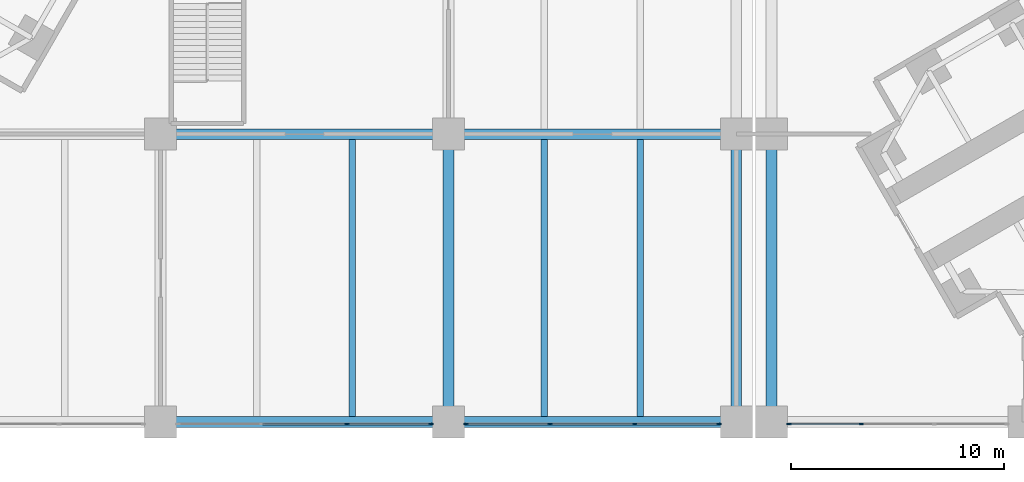
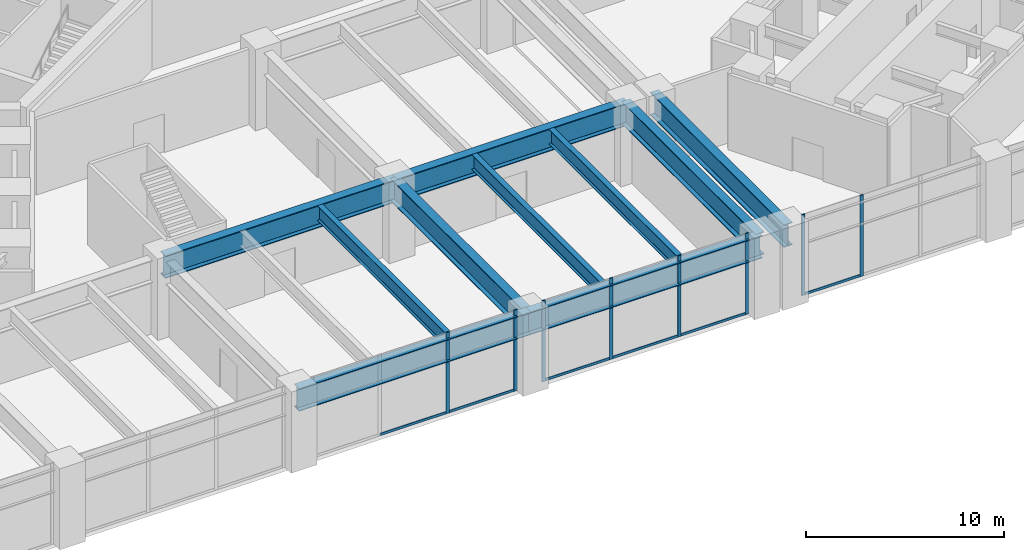
# One storey, part 4 of 32: 14 members, 10 beams, 3 elements without a shape of their own.
"""IFC4 building model written with IfcOpenShell, lengths in metres."""

from ifc_helpers import new_model, si_unit, direction, frame, origin, origin_2d, place, context, subcontext, project, spatial, rectangle, i_section, extrude, material, material_profile, profile_set, type_object, element, aggregate, save


model = new_model("IFC4")

# Units and contexts
model_context = context("Model", 3, precision=1e-05, world=origin(), true_north=direction((0.0, 1.0)))
body_context = subcontext(model_context, "Body", "Model", "MODEL_VIEW")
ifc_project = project(units=[si_unit("LENGTHUNIT", "METRE"), si_unit("AREAUNIT", "SQUARE_METRE"), si_unit("VOLUMEUNIT", "CUBIC_METRE"), si_unit("PLANEANGLEUNIT", "RADIAN"), si_unit("MASSUNIT", "GRAM", prefix="KILO")], contexts=[model_context])

# Site, building, storey
site_placement = place(None, origin())
site = spatial("IfcSite", under=ifc_project, at=site_placement, CompositionType="ELEMENT")
building_placement = place(site_placement, origin())
building = spatial("IfcBuilding", under=site, at=building_placement, Name="Upepo Twin Towers", CompositionType="ELEMENT")
storey_placement = place(building_placement, frame((0.0, 0.0, 10.5)))
storey = spatial("IfcBuildingStorey", under=building, at=storey_placement, Name="L02", CompositionType="ELEMENT", Elevation=10.5)

# Beams
ifc_material_1 = material(Name="Steel S355", Category="steel")
ifc_material_profile_1 = material_profile(ifc_material_1, i_section(OverallWidth=0.5, OverallDepth=1.39990234375, WebThickness=0.02490234375, FlangeThickness=0.050048828125, FilletRadius=0.008056640625, at=origin_2d()), Name="PG 1400x500x25x50")
ifc_profile_set_1 = profile_set([ifc_material_profile_1], Name="Steel S355")
beam_type_1 = type_object("IfcBeamType", Name="Beam PG 1400x500x25x50", PredefinedType="BEAM", material=ifc_profile_set_1)
for number, where, z_axis, x_axis, name in (
    (1, (0.0, -40.5, 3.949951171875), (1.0, 0.0, 0.0), (0.0, 1.0, 0.0), "Podium girder A/3-4"),
    (2, (13.5, -40.5, 3.949951171875), (1.0, 0.0, 0.0), (0.0, 1.0, 0.0), "Podium girder A/4-5"),
    (3, (0.0, -27.0, 3.949951171875), (1.0, 0.0, 0.0), (0.0, 1.0, 0.0), "Podium girder B/3-4"),
    (4, (13.5, -27.0, 3.949951171875), (1.0, 0.0, 0.0), (0.0, 1.0, 0.0), "Podium girder B/4-5"),
    (5, (13.5, -40.5, 3.949951171875), (0.0, 1.0, 0.0), (-1.0, 0.0, 0.0), "Podium girder 4/A-B"),
    (6, (27.0, -40.5, 3.949951171875), (0.0, 1.0, 0.0), (-1.0, 0.0, 0.0), "Podium girder 5/A-B"),
    (7, (28.64990234375, -40.5, 3.949951171875), (0.0, 1.0, 0.0), (-1.0, 0.0, 0.0), "Podium girder 5a/A-B"),
):
    element("IfcBeam", number, at=place(storey_placement, frame(where, z_axis=z_axis, x_axis=x_axis)), inside=storey, type_object=beam_type_1, Name=name, PredefinedType="BEAM", context=body_context, shape_type="SweptSolid", body=[
        extrude(i_section(OverallWidth=0.5, OverallDepth=1.39990234375, WebThickness=0.02490234375, FlangeThickness=0.050048828125, FilletRadius=0.008056640625, at=origin_2d()), origin(), (0.0, 0.0, 1.0), 13.5),
    ])

# Curtain wall, members
ifc_material_2 = material(Name="Aluminium and clear glass", Category="aluminium")
curtain_wall_type = type_object("IfcCurtainWallType", Name="Podium curtain wall PW1", PredefinedType="NOTDEFINED", material=ifc_material_2)
curtain_wall_1_placement = place(storey_placement, origin())
curtain_wall_1 = element("IfcCurtainWall", 8, at=curtain_wall_1_placement, inside=storey, type_object=curtain_wall_type, Name="Podium L02 curtain wall S3", PredefinedType="NOTDEFINED")
ifc_material_3 = material(Name="Aluminium mullion", Category="aluminium")
ifc_material_profile_2 = material_profile(ifc_material_3, rectangle(XDim=0.06494140625, YDim=0.199951171875, at=origin_2d()), Name="MULLION 65x200 PODIUM")
ifc_profile_set_2 = profile_set([ifc_material_profile_2], Name="Aluminium mullion")
member_type_1 = type_object("IfcMemberType", Name="Mullion 65x200 PW1", PredefinedType="MULLION", material=ifc_profile_set_2)
member_1_placement = place(storey_placement, frame((8.73828125, -40.60009765625, 0.0), z_axis=(0.0, 0.0, 1.0), x_axis=(0.0, 1.0, 0.0)))
member_1 = element("IfcMember", 9, at=member_1_placement, type_object=member_type_1, Name="Podium L02 curtain wall S3 mullion 3", PredefinedType="MULLION", context=body_context, shape_type="SweptSolid", body=[
    extrude(rectangle(XDim=0.06494140625, YDim=0.199951171875, at=origin_2d()), origin(), (0.0, 0.0, 1.0), 5.0),
])
member_2_placement = place(storey_placement, frame((12.6826171875, -40.60009765625, 0.0), z_axis=(0.0, 0.0, 1.0), x_axis=(0.0, 1.0, 0.0)))
member_2 = element("IfcMember", 10, at=member_2_placement, type_object=member_type_1, Name="Podium L02 curtain wall S3 mullion 4", PredefinedType="MULLION", context=body_context, shape_type="SweptSolid", body=[
    extrude(rectangle(XDim=0.06494140625, YDim=0.199951171875, at=origin_2d()), origin(), (0.0, 0.0, 1.0), 5.0),
])

curtain_wall_2_placement = place(storey_placement, origin())
curtain_wall_2 = element("IfcCurtainWall", 11, at=curtain_wall_2_placement, inside=storey, type_object=curtain_wall_type, Name="Podium L02 curtain wall S4", PredefinedType="NOTDEFINED")
member_3_placement = place(storey_placement, frame((14.3173828125, -40.60009765625, 0.0), z_axis=(0.0, 0.0, 1.0), x_axis=(0.0, 1.0, 0.0)))
member_3 = element("IfcMember", 12, at=member_3_placement, type_object=member_type_1, Name="Podium L02 curtain wall S4 mullion 1", PredefinedType="MULLION", context=body_context, shape_type="SweptSolid", body=[
    extrude(rectangle(XDim=0.06494140625, YDim=0.199951171875, at=origin_2d()), origin(), (0.0, 0.0, 1.0), 5.0),
])
member_4_placement = place(storey_placement, frame((18.26171875, -40.60009765625, 0.0), z_axis=(0.0, 0.0, 1.0), x_axis=(0.0, 1.0, 0.0)))
member_4 = element("IfcMember", 13, at=member_4_placement, type_object=member_type_1, Name="Podium L02 curtain wall S4 mullion 2", PredefinedType="MULLION", context=body_context, shape_type="SweptSolid", body=[
    extrude(rectangle(XDim=0.06494140625, YDim=0.199951171875, at=origin_2d()), origin(), (0.0, 0.0, 1.0), 5.0),
])
member_5_placement = place(storey_placement, frame((22.23828125, -40.60009765625, 0.0), z_axis=(0.0, 0.0, 1.0), x_axis=(0.0, 1.0, 0.0)))
member_5 = element("IfcMember", 14, at=member_5_placement, type_object=member_type_1, Name="Podium L02 curtain wall S4 mullion 3", PredefinedType="MULLION", context=body_context, shape_type="SweptSolid", body=[
    extrude(rectangle(XDim=0.06494140625, YDim=0.199951171875, at=origin_2d()), origin(), (0.0, 0.0, 1.0), 5.0),
])
member_6_placement = place(storey_placement, frame((26.1826171875, -40.60009765625, 0.0), z_axis=(0.0, 0.0, 1.0), x_axis=(0.0, 1.0, 0.0)))
member_6 = element("IfcMember", 15, at=member_6_placement, type_object=member_type_1, Name="Podium L02 curtain wall S4 mullion 4", PredefinedType="MULLION", context=body_context, shape_type="SweptSolid", body=[
    extrude(rectangle(XDim=0.06494140625, YDim=0.199951171875, at=origin_2d()), origin(), (0.0, 0.0, 1.0), 5.0),
])

curtain_wall_3_placement = place(storey_placement, origin())
curtain_wall_3 = element("IfcCurtainWall", 16, at=curtain_wall_3_placement, inside=storey, type_object=curtain_wall_type, Name="Podium L02 curtain wall S5", PredefinedType="NOTDEFINED")
member_7_placement = place(storey_placement, frame((29.467529296875, -40.60009765625, 0.0), z_axis=(0.0, 0.0, 1.0), x_axis=(0.0, 1.0, 0.0)))
member_7 = element("IfcMember", 17, at=member_7_placement, type_object=member_type_1, Name="Podium L02 curtain wall S5 mullion 1", PredefinedType="MULLION", context=body_context, shape_type="SweptSolid", body=[
    extrude(rectangle(XDim=0.06494140625, YDim=0.199951171875, at=origin_2d()), origin(), (0.0, 0.0, 1.0), 5.0),
])
member_8_placement = place(storey_placement, frame((32.861572265625, -40.60009765625, 0.0), z_axis=(0.0, 0.0, 1.0), x_axis=(0.0, 1.0, 0.0)))
member_8 = element("IfcMember", 18, at=member_8_placement, type_object=member_type_1, Name="Podium L02 curtain wall S5 mullion 2", PredefinedType="MULLION", context=body_context, shape_type="SweptSolid", body=[
    extrude(rectangle(XDim=0.06494140625, YDim=0.199951171875, at=origin_2d()), origin(), (0.0, 0.0, 1.0), 5.0),
])

# Beams
ifc_material_4 = material(Name="Steel S355", Category="steel")
ifc_material_profile_3 = material_profile(ifc_material_4, i_section(OverallWidth=0.305419921875, OverallDepth=0.91845703125, WebThickness=0.017333984375, FlangeThickness=0.02783203125, FilletRadius=0.01904296875, at=origin_2d()), Name="UB 914x305x253")
ifc_profile_set_3 = profile_set([ifc_material_profile_3], Name="Steel S355")
beam_type_2 = type_object("IfcBeamType", Name="Secondary beam UB 914x305x253", PredefinedType="JOIST", material=ifc_profile_set_3)
for number, where, z_axis, x_axis, name in (
    (19, (9.0, -40.25, 4.19091796875), (0.0, 1.0, 0.0), (-1.0, 0.0, 0.0), "Podium secondary beam A3.2"),
    (20, (18.0, -40.25, 4.19091796875), (0.0, 1.0, 0.0), (-1.0, 0.0, 0.0), "Podium secondary beam A4.1"),
    (21, (22.5, -40.25, 4.19091796875), (0.0, 1.0, 0.0), (-1.0, 0.0, 0.0), "Podium secondary beam A4.2"),
):
    element("IfcBeam", number, at=place(storey_placement, frame(where, z_axis=z_axis, x_axis=x_axis)), inside=storey, type_object=beam_type_2, Name=name, PredefinedType="JOIST", context=body_context, shape_type="SweptSolid", body=[
        extrude(i_section(OverallWidth=0.305419921875, OverallDepth=0.91845703125, WebThickness=0.017333984375, FlangeThickness=0.02783203125, FilletRadius=0.01904296875, at=origin_2d()), origin(), (0.0, 0.0, 1.0), 13.0),
    ])

# Member
ifc_material_5 = material(Name="Aluminium transom", Category="aluminium")
ifc_material_profile_4 = material_profile(ifc_material_5, rectangle(XDim=0.06494140625, YDim=0.14990234375, at=origin_2d()), Name="TRANSOM 65x150 PODIUM")
ifc_profile_set_4 = profile_set([ifc_material_profile_4], Name="Aluminium transom")
member_type_2 = type_object("IfcMemberType", Name="Transom 65x150 PW1", PredefinedType="USERDEFINED", material=ifc_profile_set_4)
member_9_placement = place(storey_placement, frame((4.794189453125, -40.60009765625, 0.074951171875), z_axis=(1.0, 0.0, 0.0), x_axis=(0.0, 1.0, 0.0)))
member_9 = element("IfcMember", 22, at=member_9_placement, type_object=member_type_2, Name="Podium L02 curtain wall S3 transom 2", ObjectType="TRANSOM", PredefinedType="USERDEFINED", context=body_context, shape_type="SweptSolid", body=[
    extrude(rectangle(XDim=0.06494140625, YDim=0.14990234375, at=origin_2d()), origin(), (0.0, 0.0, 1.0), 3.91162109375),
])

member_10_placement = place(storey_placement, frame((8.770751953125, -40.60009765625, 0.074951171875), z_axis=(1.0, 0.0, 0.0), x_axis=(0.0, 1.0, 0.0)))
member_10 = element("IfcMember", 23, at=member_10_placement, type_object=member_type_2, Name="Podium L02 curtain wall S3 transom 3", ObjectType="TRANSOM", PredefinedType="USERDEFINED", context=body_context, shape_type="SweptSolid", body=[
    extrude(rectangle(XDim=0.06494140625, YDim=0.14990234375, at=origin_2d()), origin(), (0.0, 0.0, 1.0), 3.879150390625),
])

aggregate(curtain_wall_1, [member_1, member_2, member_9, member_10])

member_11_placement = place(storey_placement, frame((14.35009765625, -40.60009765625, 0.074951171875), z_axis=(1.0, 0.0, 0.0), x_axis=(0.0, 1.0, 0.0)))
member_11 = element("IfcMember", 24, at=member_11_placement, type_object=member_type_2, Name="Podium L02 curtain wall S4 transom 1", ObjectType="TRANSOM", PredefinedType="USERDEFINED", context=body_context, shape_type="SweptSolid", body=[
    extrude(rectangle(XDim=0.06494140625, YDim=0.14990234375, at=origin_2d()), origin(), (0.0, 0.0, 1.0), 3.879150390625),
])

member_12_placement = place(storey_placement, frame((18.294189453125, -40.60009765625, 0.074951171875), z_axis=(1.0, 0.0, 0.0), x_axis=(0.0, 1.0, 0.0)))
member_12 = element("IfcMember", 25, at=member_12_placement, type_object=member_type_2, Name="Podium L02 curtain wall S4 transom 2", ObjectType="TRANSOM", PredefinedType="USERDEFINED", context=body_context, shape_type="SweptSolid", body=[
    extrude(rectangle(XDim=0.06494140625, YDim=0.14990234375, at=origin_2d()), origin(), (0.0, 0.0, 1.0), 3.91162109375),
])

member_13_placement = place(storey_placement, frame((22.270751953125, -40.60009765625, 0.074951171875), z_axis=(1.0, 0.0, 0.0), x_axis=(0.0, 1.0, 0.0)))
member_13 = element("IfcMember", 26, at=member_13_placement, type_object=member_type_2, Name="Podium L02 curtain wall S4 transom 3", ObjectType="TRANSOM", PredefinedType="USERDEFINED", context=body_context, shape_type="SweptSolid", body=[
    extrude(rectangle(XDim=0.06494140625, YDim=0.14990234375, at=origin_2d()), origin(), (0.0, 0.0, 1.0), 3.879150390625),
])

aggregate(curtain_wall_2, [member_3, member_4, member_5, member_6, member_11, member_12, member_13])

member_14_placement = place(storey_placement, frame((29.5, -40.60009765625, 0.074951171875), z_axis=(1.0, 0.0, 0.0), x_axis=(0.0, 1.0, 0.0)))
member_14 = element("IfcMember", 27, at=member_14_placement, type_object=member_type_2, Name="Podium L02 curtain wall S5 transom 1", ObjectType="TRANSOM", PredefinedType="USERDEFINED", context=body_context, shape_type="SweptSolid", body=[
    extrude(rectangle(XDim=0.06494140625, YDim=0.14990234375, at=origin_2d()), origin(), (0.0, 0.0, 1.0), 3.3291015625),
])

aggregate(curtain_wall_3, [member_7, member_8, member_14])

save(model, "model.ifc")
